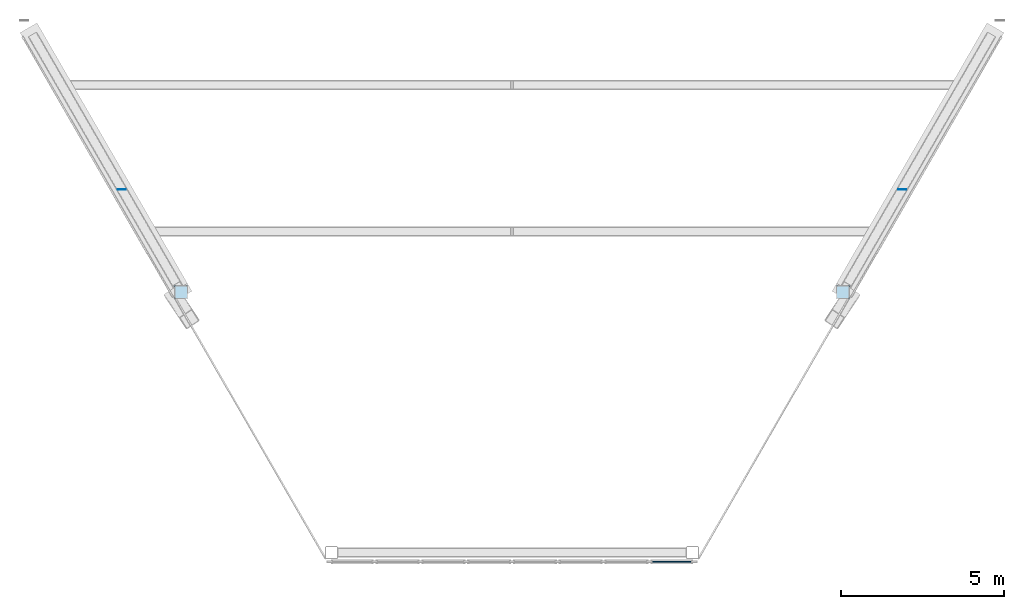
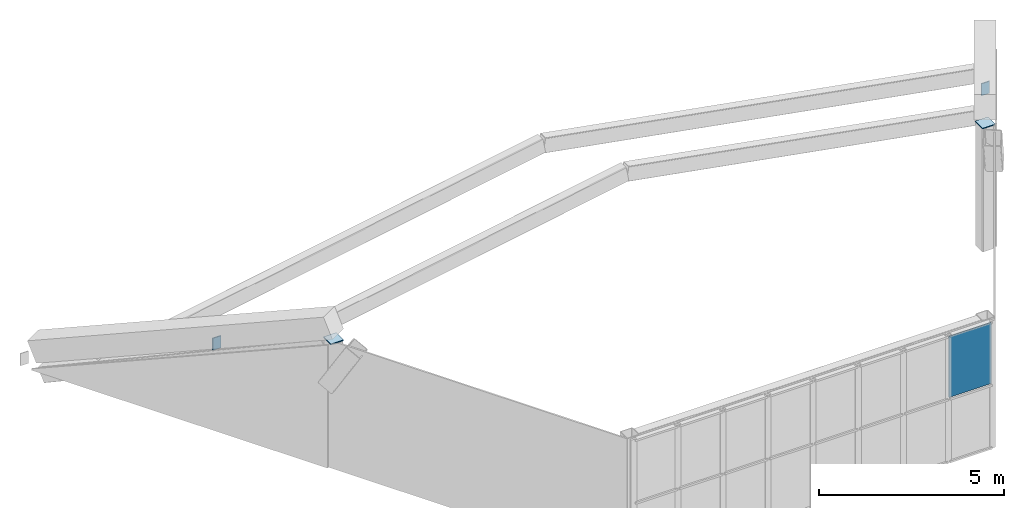
# One storey, part 2 of 4: 5 plates, 1 element without a shape of its own.
"""IFC4 building model written with IfcOpenShell, lengths in metres."""

from ifc_helpers import new_model, si_unit, direction, frame, origin, origin_2d, place, context, subcontext, project, spatial, polyline, rectangle, outline, extrude, material, layer, layer_set, type_object, element, aggregate, save


model = new_model("IFC4")

# Units and contexts
model_context = context("Model", 3, precision=1e-05, world=origin(), true_north=direction((0.0, 1.0)))
body_context = subcontext(model_context, "Body", "Model", "MODEL_VIEW")
ifc_project = project(units=[si_unit("LENGTHUNIT", "METRE"), si_unit("AREAUNIT", "SQUARE_METRE"), si_unit("VOLUMEUNIT", "CUBIC_METRE"), si_unit("PLANEANGLEUNIT", "RADIAN"), si_unit("MASSUNIT", "GRAM", prefix="KILO")], contexts=[model_context])

# Site, building, storey
site_placement = place(None, origin())
site = spatial("IfcSite", under=ifc_project, at=site_placement, CompositionType="ELEMENT")
building_placement = place(site_placement, origin())
building = spatial("IfcBuilding", under=site, at=building_placement, Name="Aloe Facet Convention Tower", CompositionType="ELEMENT")
storey_placement = place(building_placement, frame((0.0, 0.0, 298.10009765625)))
storey = spatial("IfcBuildingStorey", under=building, at=storey_placement, Name="C4", CompositionType="ELEMENT", Elevation=298.10009765625)

# Curtain wall, plate
ifc_material_1 = material(Name="Aluminium, anodised", Category="aluminium")
curtain_wall_type = type_object("IfcCurtainWallType", Name="EV-CW-CROWN", PredefinedType="USERDEFINED", material=ifc_material_1)
curtain_wall_placement = place(storey_placement, origin())
curtain_wall = element("IfcCurtainWall", 1, at=curtain_wall_placement, inside=storey, type_object=curtain_wall_type, Name="CW-C4-Z09", ObjectType="CROWN SCREEN GLAZING", PredefinedType="USERDEFINED")
ifc_material_2 = material(Name="Clear double glazing", Category="glass")
ifc_layer_1 = layer(ifc_material_2, 0.031982421875)
ifc_layer_set_1 = layer_set([ifc_layer_1], Name="EV-PANEL-CROWN")
plate_type_1 = type_object("IfcPlateType", Name="EV-PANEL-CROWN", PredefinedType="CURTAIN_PANEL", material=ifc_layer_set_1)
plate_1_placement = place(storey_placement, frame((84.909912109375, 108.890625, 2.1298828125), z_axis=(0.0, 0.0, 1.0), x_axis=(1.0, 0.0, 0.0)))
plate_1 = element("IfcPlate", 2, at=plate_1_placement, type_object=plate_type_1, Name="CW-C4-Z09 panel 8.2", PredefinedType="CURTAIN_PANEL", context=body_context, shape_type="SweptSolid", body=[
    extrude(rectangle(XDim=1.317138671875, YDim=0.031982421875, at=origin_2d()), origin(), (0.0, 0.0, 1.0), 2.010009765625),
])
aggregate(curtain_wall, [plate_1])

# Plates
ifc_material_3 = material(Name="Steel S355", Category="steel")
ifc_layer_2 = layer(ifc_material_3, 0.030029296875)
ifc_layer_set_2 = layer_set([ifc_layer_2], Name="STW-CROWN END PLATE")
plate_type_2 = type_object("IfcPlateType", Name="STW-CROWN END PLATE", PredefinedType="SHEET", material=ifc_layer_set_2)
plate_2_placement = place(storey_placement, frame((0.0, 0.0, 4.05859375)))
element("IfcPlate", 3, at=plate_2_placement, inside=storey, type_object=plate_type_2, Name="End plate CF-EP-WSW3", PredefinedType="SHEET", context=body_context, shape_type="SweptSolid", body=[
    extrude(outline(polyline([(69.630126953125, 116.9853515625), (70.030029296875, 116.9853515625), (70.030029296875, 117.38525390625), (69.630126953125, 117.38525390625), (69.630126953125, 116.9853515625)])), origin(), (0.0, 0.0, 1.0), 0.030029296875),
])
plate_3_placement = place(storey_placement, frame((0.0, 0.0, 4.05859375)))
element("IfcPlate", 4, at=plate_3_placement, inside=storey, type_object=plate_type_2, Name="End plate CF-EP-ESE3", PredefinedType="SHEET", context=body_context, shape_type="SweptSolid", body=[
    extrude(outline(polyline([(89.969970703125, 116.9853515625), (90.369873046875, 116.9853515625), (90.369873046875, 117.38525390625), (89.969970703125, 117.38525390625), (89.969970703125, 116.9853515625)])), origin(), (0.0, 0.0, 1.0), 0.030029296875),
])
for number, where, z_axis, x_axis, name in (
    (5, (67.875, 120.355224609375, 2.86767578125), (0.0, 1.0, 0.0), (1.0, 0.0, 0.0), "End plate CF-EP-W07S"),
    (6, (91.875, 120.355224609375, 2.86767578125), (0.0, 1.0, 0.0), (1.0, 0.0, 0.0), "End plate CF-EP-E08S"),
):
    element("IfcPlate", number, at=place(storey_placement, frame(where, z_axis=z_axis, x_axis=x_axis)), inside=storey, type_object=plate_type_2, Name=name, PredefinedType="SHEET", context=body_context, shape_type="SweptSolid", body=[
        extrude(outline(polyline([(0.0, 0.0), (0.25, 0.0), (0.25, 0.39990234375), (0.0, 0.39990234375), (0.0, 0.0)])), origin(), (0.0, 0.0, -1.0), 0.030029296875),
    ])

save(model, "model.ifc")
